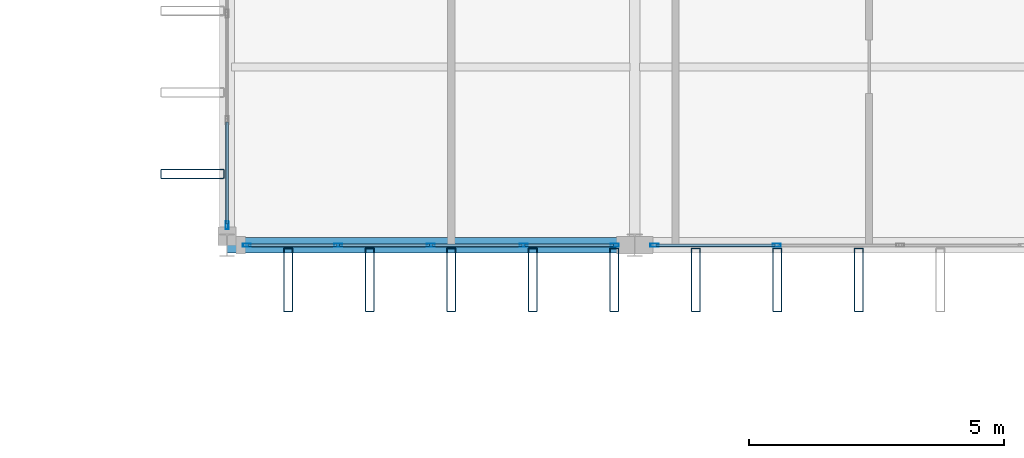
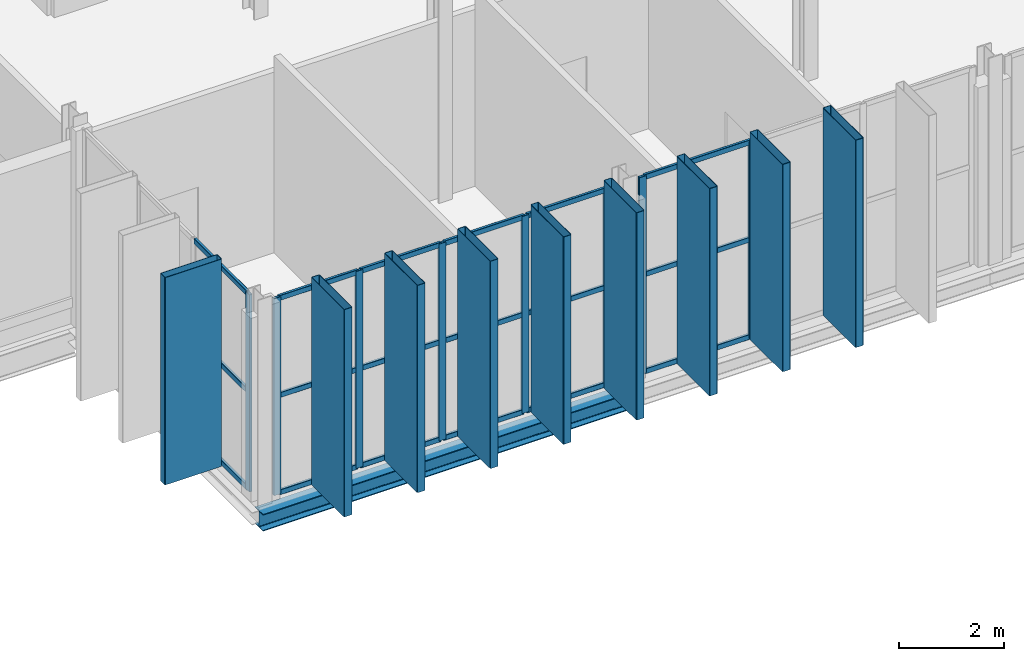
# One storey, part 22 of 120: 35 members, 1 beam, 3 elements without a shape of their own.
"""IFC4 building model written with IfcOpenShell, lengths in metres."""

from ifc_helpers import new_model, si_unit, direction, frame, origin, origin_2d, place, context, subcontext, project, spatial, hollow_rectangle, i_section, extrude, material, layer, layer_set, material_profile, profile_set, type_object, element, aggregate, save


model = new_model("IFC4")

# Units and contexts
model_context = context("Model", 3, precision=1e-05, world=origin(), true_north=direction((0.0, 1.0)))
body_context = subcontext(model_context, "Body", "Model", "MODEL_VIEW")
ifc_project = project(units=[si_unit("LENGTHUNIT", "METRE"), si_unit("AREAUNIT", "SQUARE_METRE"), si_unit("VOLUMEUNIT", "CUBIC_METRE"), si_unit("PLANEANGLEUNIT", "RADIAN"), si_unit("MASSUNIT", "GRAM", prefix="KILO")], contexts=[model_context])

# Site, building, storey
site_placement = place(None, origin())
site = spatial("IfcSite", under=ifc_project, at=site_placement, CompositionType="ELEMENT")
building_placement = place(site_placement, origin())
building = spatial("IfcBuilding", under=site, at=building_placement, Name="Vekula Escarpment Museum", CompositionType="ELEMENT")
storey_placement = place(building_placement, frame((0.0, 0.0, 13.199951171875)))
storey = spatial("IfcBuildingStorey", under=building, at=storey_placement, Name="L03", CompositionType="ELEMENT", Elevation=13.199951171875)

# Beam
ifc_material_1 = material(Name="Steel S355", Category="steel")
ifc_material_profile_1 = material_profile(ifc_material_1, i_section(OverallWidth=0.300048828125, OverallDepth=0.389892578125, WebThickness=0.010986328125, FlangeThickness=0.01904296875, FilletRadius=0.027099609375, at=origin_2d()), Name="HEA 400")
ifc_profile_set_1 = profile_set([ifc_material_profile_1], Name="Steel S355")
beam_type = type_object("IfcBeamType", Name="BM-SPAN-HEA400", PredefinedType="SPANDREL", material=ifc_profile_set_1)
beam_placement = place(storey_placement, frame((70.0, 45.60009765625, -0.445068359375), z_axis=(1.0, 0.0, 0.0), x_axis=(0.0, 1.0, 0.0)))
element("IfcBeam", 1, at=beam_placement, inside=storey, type_object=beam_type, Name="Beam X L03 1315", PredefinedType="SPANDREL", context=body_context, shape_type="SweptSolid", body=[
    extrude(i_section(OverallWidth=0.300048828125, OverallDepth=0.389892578125, WebThickness=0.010986328125, FlangeThickness=0.01904296875, FilletRadius=0.027099609375, at=origin_2d()), origin(), (0.0, 0.0, 1.0), 8.0),
])

# Curtain wall, member
ifc_material_2 = material(Name="Aluminium thermally broken framing", Category="aluminium")
ifc_layer_1 = layer(ifc_material_2, 0.169921875)
ifc_layer_set_1 = layer_set([ifc_layer_1], Name="Aluminium thermally broken framing")
curtain_wall_type_1 = type_object("IfcCurtainWallType", Name="CW-SYS-10", PredefinedType="NOTDEFINED", material=ifc_layer_set_1)
curtain_wall_1_placement = place(storey_placement, origin())
curtain_wall_1 = element("IfcCurtainWall", 2, at=curtain_wall_1_placement, inside=storey, type_object=curtain_wall_type_1, Name="Curtain Wall CW-L03-100", PredefinedType="NOTDEFINED")
ifc_material_3 = material(Name="Aluminium anodized mullion", Category="aluminium")
ifc_material_profile_2 = material_profile(ifc_material_3, hollow_rectangle(XDim=0.06005859375, YDim=0.159912109375, WallThickness=0.00390625, InnerFilletRadius=0.00390625, OuterFilletRadius=0.008056640625, at=origin_2d()), Name="ALU 160x60x4")
ifc_profile_set_2 = profile_set([ifc_material_profile_2], Name="Aluminium anodized mullion")
member_type_1 = type_object("IfcMemberType", Name="CW-MUL-160", PredefinedType="MULLION", material=ifc_profile_set_2)
member_1_placement = place(storey_placement, frame((70.0, 45.989990234375, 0.0), z_axis=(0.0, 0.0, 1.0), x_axis=(1.0, 0.0, 0.0)))
member_1 = element("IfcMember", 3, at=member_1_placement, type_object=member_type_1, Name="CW-10 mullion 4", PredefinedType="MULLION", context=body_context, shape_type="SweptSolid", body=[
    extrude(hollow_rectangle(XDim=0.06005859375, YDim=0.159912109375, WallThickness=0.00390625, InnerFilletRadius=0.00390625, OuterFilletRadius=0.008056640625, at=origin_2d()), origin(), (0.0, 0.0, 1.0), 4.56005859375),
])

# Curtain wall, members
ifc_material_4 = material(Name="Aluminium thermally broken framing", Category="aluminium")
ifc_layer_2 = layer(ifc_material_4, 0.159912109375)
ifc_layer_set_2 = layer_set([ifc_layer_2], Name="Aluminium thermally broken framing")
curtain_wall_type_2 = type_object("IfcCurtainWallType", Name="CW-SYS-01", PredefinedType="NOTDEFINED", material=ifc_layer_set_2)
curtain_wall_2_placement = place(storey_placement, origin())
curtain_wall_2 = element("IfcCurtainWall", 4, at=curtain_wall_2_placement, inside=storey, type_object=curtain_wall_type_2, Name="Curtain Wall CW-L03-101", PredefinedType="NOTDEFINED")
member_2_placement = place(storey_placement, frame((70.389892578125, 45.60009765625, 0.0), z_axis=(0.0, 0.0, 1.0), x_axis=(0.0, 1.0, 0.0)))
member_2 = element("IfcMember", 5, at=member_2_placement, type_object=member_type_1, Name="CW-01 mullion 1", PredefinedType="MULLION", context=body_context, shape_type="SweptSolid", body=[
    extrude(hollow_rectangle(XDim=0.06005859375, YDim=0.159912109375, WallThickness=0.00390625, InnerFilletRadius=0.00390625, OuterFilletRadius=0.008056640625, at=origin_2d()), origin(), (0.0, 0.0, 1.0), 4.56005859375),
])
member_3_placement = place(storey_placement, frame((72.179931640625, 45.60009765625, 0.0), z_axis=(0.0, 0.0, 1.0), x_axis=(0.0, 1.0, 0.0)))
member_3 = element("IfcMember", 6, at=member_3_placement, type_object=member_type_1, Name="CW-01 mullion 2", PredefinedType="MULLION", context=body_context, shape_type="SweptSolid", body=[
    extrude(hollow_rectangle(XDim=0.06005859375, YDim=0.159912109375, WallThickness=0.00390625, InnerFilletRadius=0.00390625, OuterFilletRadius=0.008056640625, at=origin_2d()), origin(), (0.0, 0.0, 1.0), 4.56005859375),
])
member_4_placement = place(storey_placement, frame((74.0, 45.60009765625, 0.0), z_axis=(0.0, 0.0, 1.0), x_axis=(0.0, 1.0, 0.0)))
member_4 = element("IfcMember", 7, at=member_4_placement, type_object=member_type_1, Name="CW-01 mullion 3", PredefinedType="MULLION", context=body_context, shape_type="SweptSolid", body=[
    extrude(hollow_rectangle(XDim=0.06005859375, YDim=0.159912109375, WallThickness=0.00390625, InnerFilletRadius=0.00390625, OuterFilletRadius=0.008056640625, at=origin_2d()), origin(), (0.0, 0.0, 1.0), 4.56005859375),
])
member_5_placement = place(storey_placement, frame((75.820068359375, 45.60009765625, 0.0), z_axis=(0.0, 0.0, 1.0), x_axis=(0.0, 1.0, 0.0)))
member_5 = element("IfcMember", 8, at=member_5_placement, type_object=member_type_1, Name="CW-01 mullion 4", PredefinedType="MULLION", context=body_context, shape_type="SweptSolid", body=[
    extrude(hollow_rectangle(XDim=0.06005859375, YDim=0.159912109375, WallThickness=0.00390625, InnerFilletRadius=0.00390625, OuterFilletRadius=0.008056640625, at=origin_2d()), origin(), (0.0, 0.0, 1.0), 4.56005859375),
])
member_6_placement = place(storey_placement, frame((77.610107421875, 45.60009765625, 0.0), z_axis=(0.0, 0.0, 1.0), x_axis=(0.0, 1.0, 0.0)))
member_6 = element("IfcMember", 9, at=member_6_placement, type_object=member_type_1, Name="CW-01 mullion 5", PredefinedType="MULLION", context=body_context, shape_type="SweptSolid", body=[
    extrude(hollow_rectangle(XDim=0.06005859375, YDim=0.159912109375, WallThickness=0.00390625, InnerFilletRadius=0.00390625, OuterFilletRadius=0.008056640625, at=origin_2d()), origin(), (0.0, 0.0, 1.0), 4.56005859375),
])

ifc_material_5 = material(Name="Aluminium thermally broken framing", Category="aluminium")
ifc_layer_3 = layer(ifc_material_5, 0.159912109375)
ifc_layer_set_3 = layer_set([ifc_layer_3], Name="Aluminium thermally broken framing")
curtain_wall_type_3 = type_object("IfcCurtainWallType", Name="CW-SYS-02", PredefinedType="NOTDEFINED", material=ifc_layer_set_3)
curtain_wall_3_placement = place(storey_placement, origin())
curtain_wall_3 = element("IfcCurtainWall", 10, at=curtain_wall_3_placement, inside=storey, type_object=curtain_wall_type_3, Name="Curtain Wall CW-L03-102", PredefinedType="NOTDEFINED")
member_7_placement = place(storey_placement, frame((78.389892578125, 45.60009765625, 0.0), z_axis=(0.0, 0.0, 1.0), x_axis=(0.0, 1.0, 0.0)))
member_7 = element("IfcMember", 11, at=member_7_placement, type_object=member_type_1, Name="CW-02 mullion 1", PredefinedType="MULLION", context=body_context, shape_type="SweptSolid", body=[
    extrude(hollow_rectangle(XDim=0.06005859375, YDim=0.159912109375, WallThickness=0.00390625, InnerFilletRadius=0.00390625, OuterFilletRadius=0.008056640625, at=origin_2d()), origin(), (0.0, 0.0, 1.0), 4.56005859375),
])
member_8_placement = place(storey_placement, frame((80.78662109375, 45.60009765625, 0.0), z_axis=(0.0, 0.0, 1.0), x_axis=(0.0, 1.0, 0.0)))
member_8 = element("IfcMember", 12, at=member_8_placement, type_object=member_type_1, Name="CW-02 mullion 2", PredefinedType="MULLION", context=body_context, shape_type="SweptSolid", body=[
    extrude(hollow_rectangle(XDim=0.06005859375, YDim=0.159912109375, WallThickness=0.00390625, InnerFilletRadius=0.00390625, OuterFilletRadius=0.008056640625, at=origin_2d()), origin(), (0.0, 0.0, 1.0), 4.56005859375),
])

# Member
ifc_material_6 = material(Name="Aluminium anodized transom", Category="aluminium")
ifc_material_profile_3 = material_profile(ifc_material_6, hollow_rectangle(XDim=0.06005859375, YDim=0.1201171875, WallThickness=0.00390625, InnerFilletRadius=0.00390625, OuterFilletRadius=0.008056640625, at=origin_2d()), Name="ALU 120x60x4")
ifc_profile_set_3 = profile_set([ifc_material_profile_3], Name="Aluminium anodized transom")
member_type_2 = type_object("IfcMemberType", Name="CW-TRN-120", PredefinedType="USERDEFINED", material=ifc_profile_set_3)
member_9_placement = place(storey_placement, frame((70.0, 48.0234375, 0.030029296875), z_axis=(0.0, -1.0, 0.0), x_axis=(1.0, 0.0, 0.0)))
member_9 = element("IfcMember", 13, at=member_9_placement, type_object=member_type_2, Name="CW-10 transom 3.1", ObjectType="TRANSOM", PredefinedType="USERDEFINED", context=body_context, shape_type="SweptSolid", body=[
    extrude(hollow_rectangle(XDim=0.06005859375, YDim=0.1201171875, WallThickness=0.00390625, InnerFilletRadius=0.00390625, OuterFilletRadius=0.008056640625, at=origin_2d()), origin(), (0.0, 0.0, 1.0), 2.00341796875),
])

member_10_placement = place(storey_placement, frame((70.0, 48.0234375, 2.280029296875), z_axis=(0.0, -1.0, 0.0), x_axis=(1.0, 0.0, 0.0)))
member_10 = element("IfcMember", 14, at=member_10_placement, type_object=member_type_2, Name="CW-10 transom 3.2", ObjectType="TRANSOM", PredefinedType="USERDEFINED", context=body_context, shape_type="SweptSolid", body=[
    extrude(hollow_rectangle(XDim=0.06005859375, YDim=0.1201171875, WallThickness=0.00390625, InnerFilletRadius=0.00390625, OuterFilletRadius=0.008056640625, at=origin_2d()), origin(), (0.0, 0.0, 1.0), 2.00341796875),
])

member_11_placement = place(storey_placement, frame((70.0, 48.0234375, 4.530029296875), z_axis=(0.0, -1.0, 0.0), x_axis=(1.0, 0.0, 0.0)))
member_11 = element("IfcMember", 15, at=member_11_placement, type_object=member_type_2, Name="CW-10 transom 3.3", ObjectType="TRANSOM", PredefinedType="USERDEFINED", context=body_context, shape_type="SweptSolid", body=[
    extrude(hollow_rectangle(XDim=0.06005859375, YDim=0.1201171875, WallThickness=0.00390625, InnerFilletRadius=0.00390625, OuterFilletRadius=0.008056640625, at=origin_2d()), origin(), (0.0, 0.0, 1.0), 2.00341796875),
])

aggregate(curtain_wall_1, [member_1, member_9, member_10, member_11])

member_12_placement = place(storey_placement, frame((70.419921875, 45.60009765625, 0.030029296875), z_axis=(1.0, 0.0, 0.0), x_axis=(0.0, 1.0, 0.0)))
member_12 = element("IfcMember", 16, at=member_12_placement, type_object=member_type_2, Name="CW-01 transom 1.1", ObjectType="TRANSOM", PredefinedType="USERDEFINED", context=body_context, shape_type="SweptSolid", body=[
    extrude(hollow_rectangle(XDim=0.06005859375, YDim=0.1201171875, WallThickness=0.00390625, InnerFilletRadius=0.00390625, OuterFilletRadius=0.008056640625, at=origin_2d()), origin(), (0.0, 0.0, 1.0), 1.72998046875),
])

member_13_placement = place(storey_placement, frame((70.419921875, 45.60009765625, 2.280029296875), z_axis=(1.0, 0.0, 0.0), x_axis=(0.0, 1.0, 0.0)))
member_13 = element("IfcMember", 17, at=member_13_placement, type_object=member_type_2, Name="CW-01 transom 1.2", ObjectType="TRANSOM", PredefinedType="USERDEFINED", context=body_context, shape_type="SweptSolid", body=[
    extrude(hollow_rectangle(XDim=0.06005859375, YDim=0.1201171875, WallThickness=0.00390625, InnerFilletRadius=0.00390625, OuterFilletRadius=0.008056640625, at=origin_2d()), origin(), (0.0, 0.0, 1.0), 1.72998046875),
])

member_14_placement = place(storey_placement, frame((70.419921875, 45.60009765625, 4.530029296875), z_axis=(1.0, 0.0, 0.0), x_axis=(0.0, 1.0, 0.0)))
member_14 = element("IfcMember", 18, at=member_14_placement, type_object=member_type_2, Name="CW-01 transom 1.3", ObjectType="TRANSOM", PredefinedType="USERDEFINED", context=body_context, shape_type="SweptSolid", body=[
    extrude(hollow_rectangle(XDim=0.06005859375, YDim=0.1201171875, WallThickness=0.00390625, InnerFilletRadius=0.00390625, OuterFilletRadius=0.008056640625, at=origin_2d()), origin(), (0.0, 0.0, 1.0), 1.72998046875),
])

member_15_placement = place(storey_placement, frame((72.2099609375, 45.60009765625, 0.030029296875), z_axis=(1.0, 0.0, 0.0), x_axis=(0.0, 1.0, 0.0)))
member_15 = element("IfcMember", 19, at=member_15_placement, type_object=member_type_2, Name="CW-01 transom 2.1", ObjectType="TRANSOM", PredefinedType="USERDEFINED", context=body_context, shape_type="SweptSolid", body=[
    extrude(hollow_rectangle(XDim=0.06005859375, YDim=0.1201171875, WallThickness=0.00390625, InnerFilletRadius=0.00390625, OuterFilletRadius=0.008056640625, at=origin_2d()), origin(), (0.0, 0.0, 1.0), 1.760009765625),
])

member_16_placement = place(storey_placement, frame((72.2099609375, 45.60009765625, 2.280029296875), z_axis=(1.0, 0.0, 0.0), x_axis=(0.0, 1.0, 0.0)))
member_16 = element("IfcMember", 20, at=member_16_placement, type_object=member_type_2, Name="CW-01 transom 2.2", ObjectType="TRANSOM", PredefinedType="USERDEFINED", context=body_context, shape_type="SweptSolid", body=[
    extrude(hollow_rectangle(XDim=0.06005859375, YDim=0.1201171875, WallThickness=0.00390625, InnerFilletRadius=0.00390625, OuterFilletRadius=0.008056640625, at=origin_2d()), origin(), (0.0, 0.0, 1.0), 1.760009765625),
])

member_17_placement = place(storey_placement, frame((72.2099609375, 45.60009765625, 4.530029296875), z_axis=(1.0, 0.0, 0.0), x_axis=(0.0, 1.0, 0.0)))
member_17 = element("IfcMember", 21, at=member_17_placement, type_object=member_type_2, Name="CW-01 transom 2.3", ObjectType="TRANSOM", PredefinedType="USERDEFINED", context=body_context, shape_type="SweptSolid", body=[
    extrude(hollow_rectangle(XDim=0.06005859375, YDim=0.1201171875, WallThickness=0.00390625, InnerFilletRadius=0.00390625, OuterFilletRadius=0.008056640625, at=origin_2d()), origin(), (0.0, 0.0, 1.0), 1.760009765625),
])

member_18_placement = place(storey_placement, frame((74.030029296875, 45.60009765625, 0.030029296875), z_axis=(1.0, 0.0, 0.0), x_axis=(0.0, 1.0, 0.0)))
member_18 = element("IfcMember", 22, at=member_18_placement, type_object=member_type_2, Name="CW-01 transom 3.1", ObjectType="TRANSOM", PredefinedType="USERDEFINED", context=body_context, shape_type="SweptSolid", body=[
    extrude(hollow_rectangle(XDim=0.06005859375, YDim=0.1201171875, WallThickness=0.00390625, InnerFilletRadius=0.00390625, OuterFilletRadius=0.008056640625, at=origin_2d()), origin(), (0.0, 0.0, 1.0), 1.760009765625),
])

member_19_placement = place(storey_placement, frame((74.030029296875, 45.60009765625, 2.280029296875), z_axis=(1.0, 0.0, 0.0), x_axis=(0.0, 1.0, 0.0)))
member_19 = element("IfcMember", 23, at=member_19_placement, type_object=member_type_2, Name="CW-01 transom 3.2", ObjectType="TRANSOM", PredefinedType="USERDEFINED", context=body_context, shape_type="SweptSolid", body=[
    extrude(hollow_rectangle(XDim=0.06005859375, YDim=0.1201171875, WallThickness=0.00390625, InnerFilletRadius=0.00390625, OuterFilletRadius=0.008056640625, at=origin_2d()), origin(), (0.0, 0.0, 1.0), 1.760009765625),
])

member_20_placement = place(storey_placement, frame((74.030029296875, 45.60009765625, 4.530029296875), z_axis=(1.0, 0.0, 0.0), x_axis=(0.0, 1.0, 0.0)))
member_20 = element("IfcMember", 24, at=member_20_placement, type_object=member_type_2, Name="CW-01 transom 3.3", ObjectType="TRANSOM", PredefinedType="USERDEFINED", context=body_context, shape_type="SweptSolid", body=[
    extrude(hollow_rectangle(XDim=0.06005859375, YDim=0.1201171875, WallThickness=0.00390625, InnerFilletRadius=0.00390625, OuterFilletRadius=0.008056640625, at=origin_2d()), origin(), (0.0, 0.0, 1.0), 1.760009765625),
])

member_21_placement = place(storey_placement, frame((75.85009765625, 45.60009765625, 0.030029296875), z_axis=(1.0, 0.0, 0.0), x_axis=(0.0, 1.0, 0.0)))
member_21 = element("IfcMember", 25, at=member_21_placement, type_object=member_type_2, Name="CW-01 transom 4.1", ObjectType="TRANSOM", PredefinedType="USERDEFINED", context=body_context, shape_type="SweptSolid", body=[
    extrude(hollow_rectangle(XDim=0.06005859375, YDim=0.1201171875, WallThickness=0.00390625, InnerFilletRadius=0.00390625, OuterFilletRadius=0.008056640625, at=origin_2d()), origin(), (0.0, 0.0, 1.0), 1.72998046875),
])

member_22_placement = place(storey_placement, frame((75.85009765625, 45.60009765625, 2.280029296875), z_axis=(1.0, 0.0, 0.0), x_axis=(0.0, 1.0, 0.0)))
member_22 = element("IfcMember", 26, at=member_22_placement, type_object=member_type_2, Name="CW-01 transom 4.2", ObjectType="TRANSOM", PredefinedType="USERDEFINED", context=body_context, shape_type="SweptSolid", body=[
    extrude(hollow_rectangle(XDim=0.06005859375, YDim=0.1201171875, WallThickness=0.00390625, InnerFilletRadius=0.00390625, OuterFilletRadius=0.008056640625, at=origin_2d()), origin(), (0.0, 0.0, 1.0), 1.72998046875),
])

member_23_placement = place(storey_placement, frame((75.85009765625, 45.60009765625, 4.530029296875), z_axis=(1.0, 0.0, 0.0), x_axis=(0.0, 1.0, 0.0)))
member_23 = element("IfcMember", 27, at=member_23_placement, type_object=member_type_2, Name="CW-01 transom 4.3", ObjectType="TRANSOM", PredefinedType="USERDEFINED", context=body_context, shape_type="SweptSolid", body=[
    extrude(hollow_rectangle(XDim=0.06005859375, YDim=0.1201171875, WallThickness=0.00390625, InnerFilletRadius=0.00390625, OuterFilletRadius=0.008056640625, at=origin_2d()), origin(), (0.0, 0.0, 1.0), 1.72998046875),
])

aggregate(curtain_wall_2, [member_2, member_3, member_4, member_5, member_6, member_12, member_13, member_14, member_15, member_16, member_17, member_18, member_19, member_20, member_21, member_22, member_23])

member_24_placement = place(storey_placement, frame((78.419921875, 45.60009765625, 0.030029296875), z_axis=(1.0, 0.0, 0.0), x_axis=(0.0, 1.0, 0.0)))
member_24 = element("IfcMember", 28, at=member_24_placement, type_object=member_type_2, Name="CW-02 transom 1.1", ObjectType="TRANSOM", PredefinedType="USERDEFINED", context=body_context, shape_type="SweptSolid", body=[
    extrude(hollow_rectangle(XDim=0.06005859375, YDim=0.1201171875, WallThickness=0.00390625, InnerFilletRadius=0.00390625, OuterFilletRadius=0.008056640625, at=origin_2d()), origin(), (0.0, 0.0, 1.0), 2.336669921875),
])

member_25_placement = place(storey_placement, frame((78.419921875, 45.60009765625, 2.280029296875), z_axis=(1.0, 0.0, 0.0), x_axis=(0.0, 1.0, 0.0)))
member_25 = element("IfcMember", 29, at=member_25_placement, type_object=member_type_2, Name="CW-02 transom 1.2", ObjectType="TRANSOM", PredefinedType="USERDEFINED", context=body_context, shape_type="SweptSolid", body=[
    extrude(hollow_rectangle(XDim=0.06005859375, YDim=0.1201171875, WallThickness=0.00390625, InnerFilletRadius=0.00390625, OuterFilletRadius=0.008056640625, at=origin_2d()), origin(), (0.0, 0.0, 1.0), 2.336669921875),
])

member_26_placement = place(storey_placement, frame((78.419921875, 45.60009765625, 4.530029296875), z_axis=(1.0, 0.0, 0.0), x_axis=(0.0, 1.0, 0.0)))
member_26 = element("IfcMember", 30, at=member_26_placement, type_object=member_type_2, Name="CW-02 transom 1.3", ObjectType="TRANSOM", PredefinedType="USERDEFINED", context=body_context, shape_type="SweptSolid", body=[
    extrude(hollow_rectangle(XDim=0.06005859375, YDim=0.1201171875, WallThickness=0.00390625, InnerFilletRadius=0.00390625, OuterFilletRadius=0.008056640625, at=origin_2d()), origin(), (0.0, 0.0, 1.0), 2.336669921875),
])

aggregate(curtain_wall_3, [member_7, member_8, member_24, member_25, member_26])

# Members
ifc_material_7 = material(Name="Steel S355 weathered bronze solar fin", Category="steel")
ifc_material_profile_4 = material_profile(ifc_material_7, hollow_rectangle(XDim=0.179931640625, YDim=1.25, WallThickness=0.010009765625, InnerFilletRadius=0.010009765625, OuterFilletRadius=0.02001953125, at=origin_2d()), Name="RHS 1250x180x10")
ifc_profile_set_4 = profile_set([ifc_material_profile_4], Name="Steel S355 weathered bronze solar fin")
member_type_3 = type_object("IfcMemberType", Name="MB-SOLAR-FIN", PredefinedType="USERDEFINED", material=ifc_profile_set_4)
for number, where, z_axis, x_axis, name in (
    (31, (71.199951171875, 44.919921875, 0.0), (0.0, 0.0, 1.0), (1.0, 0.0, 0.0), "Great Hall Vertical Solar Fin 0003"),
    (32, (72.800048828125, 44.919921875, 0.0), (0.0, 0.0, 1.0), (1.0, 0.0, 0.0), "Great Hall Vertical Solar Fin 0008"),
    (33, (74.39990234375, 44.919921875, 0.0), (0.0, 0.0, 1.0), (1.0, 0.0, 0.0), "Great Hall Vertical Solar Fin 0013"),
    (34, (76.0, 44.919921875, 0.0), (0.0, 0.0, 1.0), (1.0, 0.0, 0.0), "Great Hall Vertical Solar Fin 0018"),
    (35, (77.60009765625, 44.919921875, 0.0), (0.0, 0.0, 1.0), (1.0, 0.0, 0.0), "Great Hall Vertical Solar Fin 0023"),
    (36, (79.199951171875, 44.919921875, 0.0), (0.0, 0.0, 1.0), (1.0, 0.0, 0.0), "Great Hall Vertical Solar Fin 0028"),
    (37, (80.800048828125, 44.919921875, 0.0), (0.0, 0.0, 1.0), (1.0, 0.0, 0.0), "Great Hall Vertical Solar Fin 0033"),
    (38, (82.39990234375, 44.919921875, 0.0), (0.0, 0.0, 1.0), (1.0, 0.0, 0.0), "Great Hall Vertical Solar Fin 0038"),
    (39, (69.320068359375, 47.0, 0.0), (0.0, 0.0, 1.0), (0.0, 1.0, 0.0), "Great Hall Vertical Solar Fin 0283"),
):
    element("IfcMember", number, at=place(storey_placement, frame(where, z_axis=z_axis, x_axis=x_axis)), inside=storey, type_object=member_type_3, Name=name, ObjectType="SOLAR FIN", PredefinedType="USERDEFINED", context=body_context, shape_type="SweptSolid", body=[
        extrude(hollow_rectangle(XDim=0.179931640625, YDim=1.25, WallThickness=0.010009765625, InnerFilletRadius=0.010009765625, OuterFilletRadius=0.02001953125, at=origin_2d()), origin(), (0.0, 0.0, 1.0), 4.800048828125),
    ])

save(model, "model.ifc")
